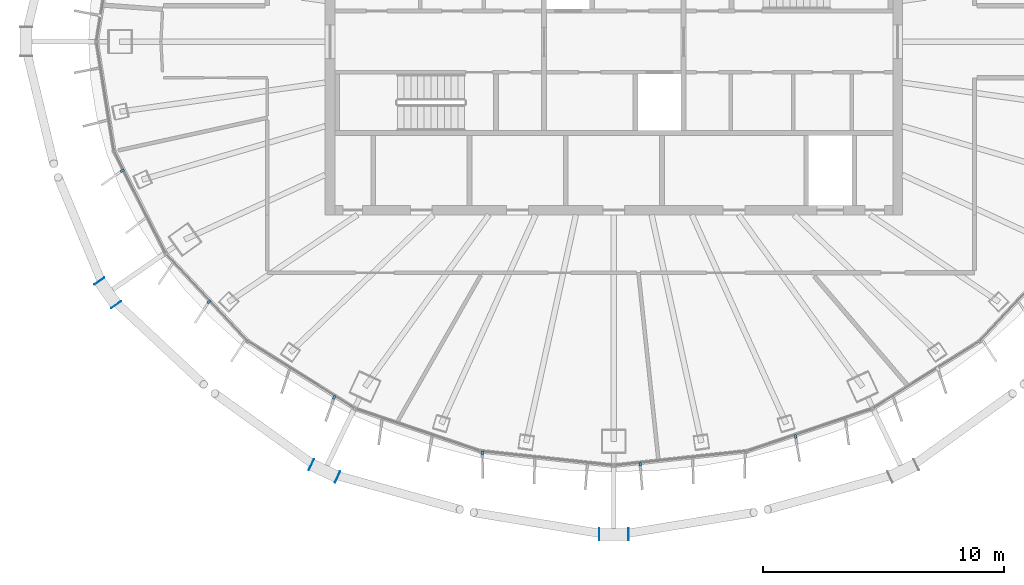
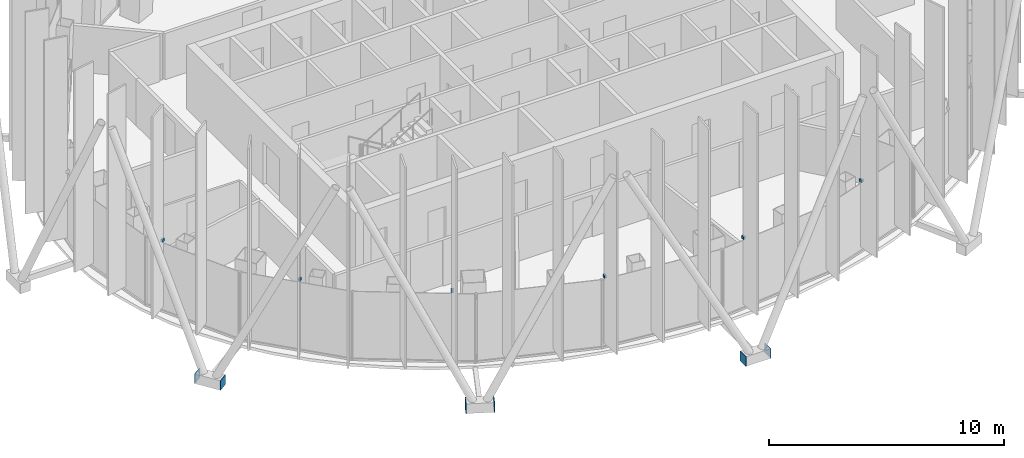
# One storey, part 13 of 20: 12 discrete accessories.
"""IFC4 building model written with IfcOpenShell, lengths in metres."""

from ifc_helpers import new_model, si_unit, direction, frame, origin, origin_2d, place, context, subcontext, project, spatial, rectangle, extrude, material, layer, layer_set, type_object, element, save


model = new_model("IFC4")

# Units and contexts
model_context = context("Model", 3, precision=1e-05, world=origin(), true_north=direction((0.0, 1.0)))
body_context = subcontext(model_context, "Body", "Model", "MODEL_VIEW")
ifc_project = project(units=[si_unit("LENGTHUNIT", "METRE"), si_unit("AREAUNIT", "SQUARE_METRE"), si_unit("VOLUMEUNIT", "CUBIC_METRE"), si_unit("PLANEANGLEUNIT", "RADIAN"), si_unit("MASSUNIT", "GRAM", prefix="KILO")], contexts=[model_context])

# Site, building, storey
site_placement = place(None, origin())
site = spatial("IfcSite", under=ifc_project, at=site_placement, CompositionType="ELEMENT")
building_placement = place(site_placement, origin())
building = spatial("IfcBuilding", under=site, at=building_placement, Name="Siaravel Broadcast Tower", CompositionType="ELEMENT")
storey_placement = place(building_placement, frame((0.0, 0.0, 228.199951171875)))
storey = spatial("IfcBuildingStorey", under=building, at=storey_placement, Name="L55", CompositionType="ELEMENT", Elevation=228.199951171875)

# Discrete accessories
ifc_material_1 = material(Name="Stainless steel 316", Category="steel")
discrete_accessory_type_1 = type_object("IfcDiscreteAccessoryType", Name="Stainless steel fin bracket", PredefinedType="USERDEFINED", material=ifc_material_1)
for number, where, z_axis, x_axis, name in (
    (1, (-20.4326171875, -5.360595703125, 3.67529296875), (0.0, 0.0, 1.0), (-0.892392939, -0.451259174, 0.0), "Fin bracket L55-31"),
    (2, (-16.82958984375, -10.812255859375, 3.67529296875), (0.0, 0.0, 1.0), (-0.729806802, -0.683653445, 0.0), "Fin bracket L55-34"),
    (3, (-11.623291015625, -14.782958984375, 3.67529296875), (0.0, 0.0, 1.0), (-0.53215093, -0.846649507, 0.0), "Fin bracket L55-37"),
    (4, (-5.459716796875, -17.09326171875, 3.67529296875), (0.0, 0.0, 1.0), (-0.107218518, -0.99423548, 0.0), "Fin bracket L55-40"),
    (5, (1.09716796875, -17.563720703125, 3.67529296875), (0.0, 0.0, 1.0), (0.107218518, -0.99423548, 0.0), "Fin bracket L55-43"),
    (6, (7.555419921875, -16.408935546875, 3.67529296875), (0.0, 0.0, 1.0), (0.321300635, -0.946977245, 0.0), "Fin bracket L55-46"),
):
    element("IfcDiscreteAccessory", number, at=place(storey_placement, frame(where, z_axis=z_axis, x_axis=x_axis)), inside=storey, type_object=discrete_accessory_type_1, Name=name, ObjectType="BRACKET", PredefinedType="USERDEFINED", context=body_context, shape_type="SweptSolid", body=[
        extrude(rectangle(XDim=0.159912109375, YDim=0.10009765625, at=origin_2d()), origin(), (0.0, 0.0, 1.0), 0.139892578125),
    ])
ifc_material_2 = material(Name="Steel S355", Category="steel")
ifc_layer = layer(ifc_material_2, 0.02001953125)
ifc_layer_set = layer_set([ifc_layer], Name="Steel S355")
discrete_accessory_type_2 = type_object("IfcDiscreteAccessoryType", Name="Steel end plate 20 mm", PredefinedType="USERDEFINED", material=ifc_layer_set)
for number, where, z_axis, x_axis, name in (
    (7, (-20.688232421875, -10.934326171875, -0.449951171875), (0.0, 0.0, 1.0), (0.576118513, -0.817366172, 0.0), "End plate R23 station 42A"),
    (8, (-21.383544921875, -9.947998046875, -0.449951171875), (0.0, 0.0, 1.0), (0.576118513, -0.817366172, 0.0), "End plate R23 station 42B"),
    (9, (-11.484130859375, -18.098388671875, -0.449951171875), (0.0, 0.0, 1.0), (0.904006456, -0.427518805, 0.0), "End plate R23 station 48A"),
    (10, (-12.5751953125, -17.58251953125, -0.449951171875), (0.0, 0.0, 1.0), (0.904006456, -0.427518805, 0.0), "End plate R23 station 48B"),
    (11, (0.603515625, -20.486328125, -0.449951171875), (0.0, 0.0, 1.0), (1.0, 0.0, 0.0), "End plate R23 station 54A"),
    (12, (-0.603515625, -20.486328125, -0.449951171875), (0.0, 0.0, 1.0), (1.0, 0.0, 0.0), "End plate R23 station 54B"),
):
    element("IfcDiscreteAccessory", number, at=place(storey_placement, frame(where, z_axis=z_axis, x_axis=x_axis)), inside=storey, type_object=discrete_accessory_type_2, Name=name, ObjectType="END PLATE", PredefinedType="USERDEFINED", context=body_context, shape_type="SweptSolid", body=[
        extrude(rectangle(XDim=0.02001953125, YDim=0.5, at=origin_2d()), origin(), (0.0, 0.0, 1.0), 0.5),
    ])

save(model, "model.ifc")
